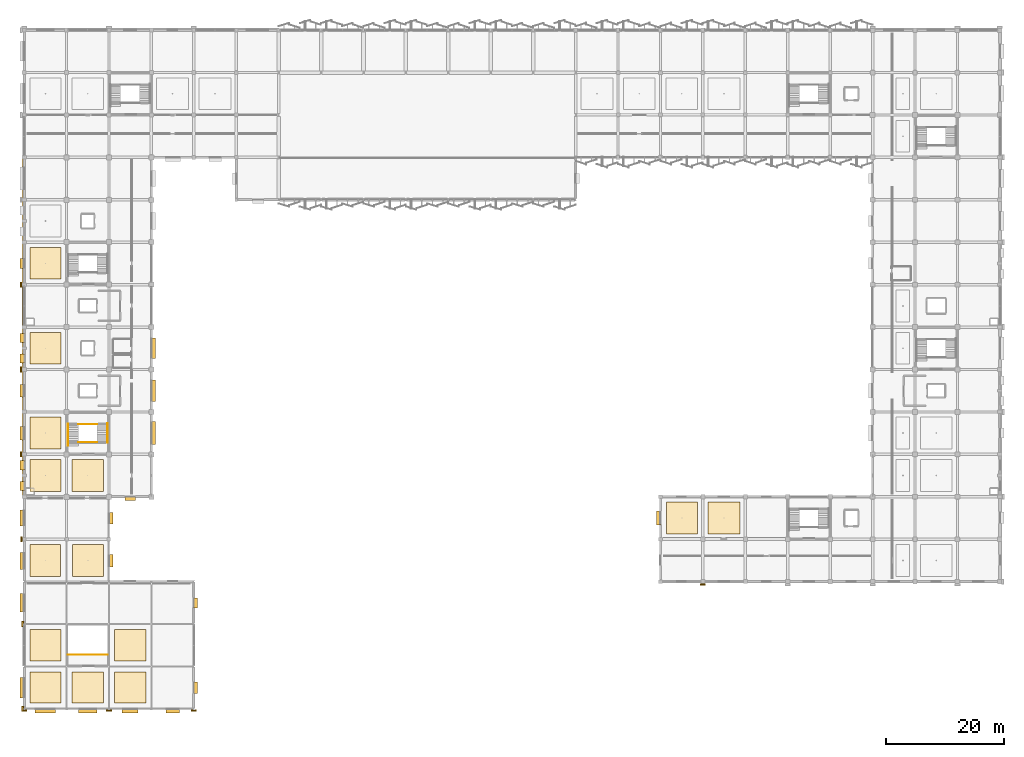
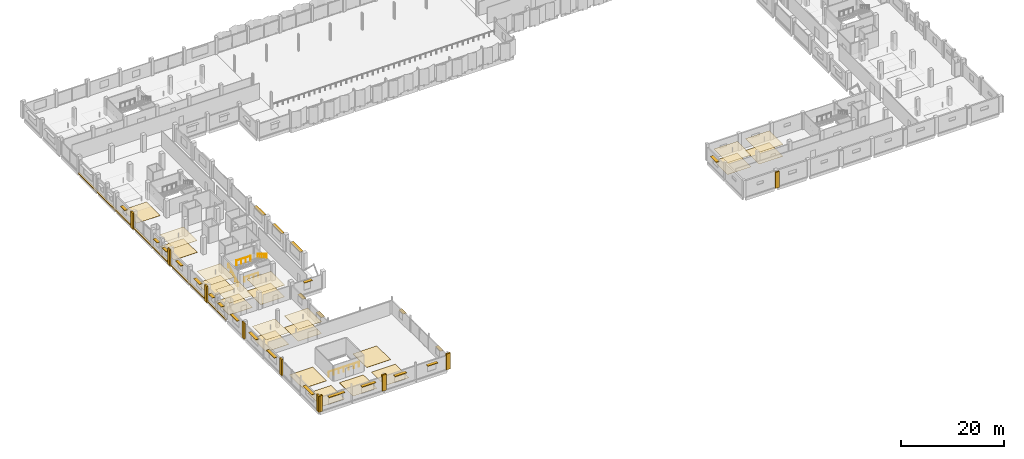
# One storey, part 104 of 107: 33 coverings, 24 shading devices, 5 railings.
"""IFC4 building model written with IfcOpenShell, lengths in metres."""

from ifc_helpers import new_model, si_unit, direction, frame, origin, origin_2d, place, context, subcontext, project, spatial, polyline, rectangle, circle, outline, extrude, material, layer, layer_set, type_object, element, save


model = new_model("IFC4")

# Units and contexts
model_context = context("Model", 3, precision=1e-05, world=origin(), true_north=direction((0.0, 1.0)))
body_context = subcontext(model_context, "Body", "Model", "MODEL_VIEW")
ifc_project = project(units=[si_unit("LENGTHUNIT", "METRE"), si_unit("AREAUNIT", "SQUARE_METRE"), si_unit("VOLUMEUNIT", "CUBIC_METRE"), si_unit("PLANEANGLEUNIT", "RADIAN"), si_unit("MASSUNIT", "GRAM", prefix="KILO")], contexts=[model_context])

# Site, building, storey
site_placement = place(None, origin())
site = spatial("IfcSite", under=ifc_project, at=site_placement, CompositionType="ELEMENT")
building_placement = place(site_placement, origin())
building = spatial("IfcBuilding", under=site, at=building_placement, Name="Kangsadwip Square Police Headquarters", CompositionType="ELEMENT")
storey_placement = place(building_placement, frame((0.0, 0.0, 5.39990234375)))
storey = spatial("IfcBuildingStorey", under=building, at=storey_placement, Name="L01", CompositionType="ELEMENT", Elevation=5.39990234375)

# Railings
ifc_material_1 = material(Name="Structural steel IS 2062 E250 (Grade 250, 250 MPa)", Category="steel")
railing_type_1 = type_object("IfcRailingType", Name="BalustradeGuard1100", PredefinedType="BALUSTRADE", material=ifc_material_1)
for number, where, name in (
    (1, (9.22998046875, 45.239990234375, 0.0), "Stair Guard ST-01 L01-8"),
    (2, (9.22998046875, 48.320068359375, 2.106201171875), "Stair Guard ST-01 L01-9"),
):
    element("IfcRailing", number, at=place(storey_placement, frame(where)), inside=storey, type_object=railing_type_1, Name=name, PredefinedType="BALUSTRADE", context=body_context, shape_type="SweptSolid", body=[
        extrude(circle(Radius=0.02392578125, at=origin_2d()), frame((0.0, 0.0, 1.09619140625), z_axis=(1.0, 0.0, 0.0), x_axis=(0.0, 1.0, 0.0)), (0.0, 0.0, 1.0), 3.14013671875),
        extrude(circle(Radius=0.02099609375, at=origin_2d()), origin(), (0.0, 0.0, 1.0), 1.072021484375),
        extrude(circle(Radius=0.02099609375, at=origin_2d()), frame((1.046630859375, 0.0, 0.0)), (0.0, 0.0, 1.0), 1.072021484375),
        extrude(circle(Radius=0.02099609375, at=origin_2d()), frame((2.093505859375, 0.0, 0.0)), (0.0, 0.0, 1.0), 1.072021484375),
        extrude(circle(Radius=0.02099609375, at=origin_2d()), frame((3.14013671875, 0.0, 0.0)), (0.0, 0.0, 1.0), 1.072021484375),
    ])
railing_1_placement = place(storey_placement, frame((7.39990234375, 9.199951171875, 0.0)))
element("IfcRailing", 3, at=railing_1_placement, inside=storey, type_object=railing_type_1, Name="Top Stairwell Guard ST-08 L01", PredefinedType="BALUSTRADE", context=body_context, shape_type="SweptSolid", body=[
    extrude(circle(Radius=0.02392578125, at=origin_2d()), frame((0.0, 0.0, 1.09619140625), z_axis=(1.0, 0.0, 0.0), x_axis=(0.0, 1.0, 0.0)), (0.0, 0.0, 1.0), 6.800048828125),
    extrude(circle(Radius=0.02099609375, at=origin_2d()), origin(), (0.0, 0.0, 1.0), 1.072021484375),
    extrude(circle(Radius=0.02099609375, at=origin_2d()), frame((1.13330078125, 0.0, 0.0)), (0.0, 0.0, 1.0), 1.072021484375),
    extrude(circle(Radius=0.02099609375, at=origin_2d()), frame((2.2666015625, 0.0, 0.0)), (0.0, 0.0, 1.0), 1.072021484375),
    extrude(circle(Radius=0.02099609375, at=origin_2d()), frame((3.39990234375, 0.0, 0.0)), (0.0, 0.0, 1.0), 1.072021484375),
    extrude(circle(Radius=0.02099609375, at=origin_2d()), frame((4.533447265625, 0.0, 0.0)), (0.0, 0.0, 1.0), 1.072021484375),
    extrude(circle(Radius=0.02099609375, at=origin_2d()), frame((5.666748046875, 0.0, 0.0)), (0.0, 0.0, 1.0), 1.072021484375),
    extrude(circle(Radius=0.02099609375, at=origin_2d()), frame((6.800048828125, 0.0, 0.0)), (0.0, 0.0, 1.0), 1.072021484375),
])

# Coverings
ifc_material_2 = material(Name="Seamless anti-static epoxy and polished Kota stone interior flooring", Category="masonry")
ifc_layer_1 = layer(ifc_material_2, 0.02001953125)
ifc_layer_set_1 = layer_set([ifc_layer_1], Name="Seamless anti-static epoxy and polished Kota stone interior flooring")
covering_type_1 = type_object("IfcCoveringType", Name="InteriorStoneEpoxyFloor", PredefinedType="FLOORING", material=ifc_layer_set_1)
covering_1_placement = place(storey_placement, origin())
element("IfcCovering", 4, at=covering_1_placement, inside=storey, type_object=covering_type_1, Name="Interior Floor Finish L01-058", PredefinedType="FLOORING", context=body_context, shape_type="SweptSolid", body=[
    extrude(outline(polyline([(1.0, 36.89990234375), (6.300048828125, 36.89990234375), (6.300048828125, 42.300048828125), (1.0, 42.300048828125), (1.0, 36.89990234375)])), origin(), (0.0, 0.0, 1.0), 0.02001953125),
])
covering_2_placement = place(storey_placement, origin())
element("IfcCovering", 5, at=covering_2_placement, inside=storey, type_object=covering_type_1, Name="Interior Floor Finish L01-059", PredefinedType="FLOORING", context=body_context, shape_type="SweptSolid", body=[
    extrude(outline(polyline([(8.10009765625, 36.89990234375), (13.5, 36.89990234375), (13.5, 42.300048828125), (8.10009765625, 42.300048828125), (8.10009765625, 36.89990234375)])), origin(), (0.0, 0.0, 1.0), 0.02001953125),
])
covering_3_placement = place(storey_placement, origin())
element("IfcCovering", 6, at=covering_3_placement, inside=storey, type_object=covering_type_1, Name="Interior Floor Finish L01-060", PredefinedType="FLOORING", context=body_context, shape_type="SweptSolid", body=[
    extrude(outline(polyline([(1.0, 44.10009765625), (6.300048828125, 44.10009765625), (6.300048828125, 49.5), (1.0, 49.5), (1.0, 44.10009765625)])), origin(), (0.0, 0.0, 1.0), 0.02001953125),
])
covering_4_placement = place(storey_placement, origin())
element("IfcCovering", 7, at=covering_4_placement, inside=storey, type_object=covering_type_1, Name="Interior Floor Finish L01-061", PredefinedType="FLOORING", context=body_context, shape_type="SweptSolid", body=[
    extrude(outline(polyline([(1.0, 58.5), (6.300048828125, 58.5), (6.300048828125, 63.89990234375), (1.0, 63.89990234375), (1.0, 58.5)])), origin(), (0.0, 0.0, 1.0), 0.02001953125),
])
covering_5_placement = place(storey_placement, origin())
element("IfcCovering", 8, at=covering_5_placement, inside=storey, type_object=covering_type_1, Name="Interior Floor Finish L01-062", PredefinedType="FLOORING", context=body_context, shape_type="SweptSolid", body=[
    extrude(outline(polyline([(1.0, 72.949951171875), (6.300048828125, 72.949951171875), (6.300048828125, 78.300048828125), (1.0, 78.300048828125), (1.0, 72.949951171875)])), origin(), (0.0, 0.0, 1.0), 0.02001953125),
])
covering_6_placement = place(storey_placement, origin())
element("IfcCovering", 9, at=covering_6_placement, inside=storey, type_object=covering_type_1, Name="Interior Floor Finish L01-070", PredefinedType="FLOORING", context=body_context, shape_type="SweptSolid", body=[
    extrude(outline(polyline([(1.0, 1.0), (6.300048828125, 1.0), (6.300048828125, 6.300048828125), (1.0, 6.300048828125), (1.0, 1.0)])), origin(), (0.0, 0.0, 1.0), 0.02001953125),
])
covering_7_placement = place(storey_placement, origin())
element("IfcCovering", 10, at=covering_7_placement, inside=storey, type_object=covering_type_1, Name="Interior Floor Finish L01-071", PredefinedType="FLOORING", context=body_context, shape_type="SweptSolid", body=[
    extrude(outline(polyline([(8.10009765625, 1.0), (13.5, 1.0), (13.5, 6.300048828125), (8.10009765625, 6.300048828125), (8.10009765625, 1.0)])), origin(), (0.0, 0.0, 1.0), 0.02001953125),
])
covering_8_placement = place(storey_placement, origin())
element("IfcCovering", 11, at=covering_8_placement, inside=storey, type_object=covering_type_1, Name="Interior Floor Finish L01-072", PredefinedType="FLOORING", context=body_context, shape_type="SweptSolid", body=[
    extrude(outline(polyline([(15.300048828125, 1.0), (20.699951171875, 1.0), (20.699951171875, 6.300048828125), (15.300048828125, 6.300048828125), (15.300048828125, 1.0)])), origin(), (0.0, 0.0, 1.0), 0.02001953125),
])
covering_9_placement = place(storey_placement, origin())
element("IfcCovering", 12, at=covering_9_placement, inside=storey, type_object=covering_type_1, Name="Interior Floor Finish L01-073", PredefinedType="FLOORING", context=body_context, shape_type="SweptSolid", body=[
    extrude(outline(polyline([(1.0, 8.10009765625), (6.300048828125, 8.10009765625), (6.300048828125, 13.5), (1.0, 13.5), (1.0, 8.10009765625)])), origin(), (0.0, 0.0, 1.0), 0.02001953125),
])
covering_10_placement = place(storey_placement, origin())
element("IfcCovering", 13, at=covering_10_placement, inside=storey, type_object=covering_type_1, Name="Interior Floor Finish L01-074", PredefinedType="FLOORING", context=body_context, shape_type="SweptSolid", body=[
    extrude(outline(polyline([(15.300048828125, 8.10009765625), (20.699951171875, 8.10009765625), (20.699951171875, 13.5), (15.300048828125, 13.5), (15.300048828125, 8.10009765625)])), origin(), (0.0, 0.0, 1.0), 0.02001953125),
])
covering_11_placement = place(storey_placement, origin())
element("IfcCovering", 14, at=covering_11_placement, inside=storey, type_object=covering_type_1, Name="Interior Floor Finish L01-075", PredefinedType="FLOORING", context=body_context, shape_type="SweptSolid", body=[
    extrude(outline(polyline([(1.0, 22.5), (6.14990234375, 22.5), (6.14990234375, 27.89990234375), (1.0, 27.89990234375), (1.0, 22.5)])), origin(), (0.0, 0.0, 1.0), 0.02001953125),
])
covering_12_placement = place(storey_placement, origin())
element("IfcCovering", 15, at=covering_12_placement, inside=storey, type_object=covering_type_1, Name="Interior Floor Finish L01-076", PredefinedType="FLOORING", context=body_context, shape_type="SweptSolid", body=[
    extrude(outline(polyline([(8.199951171875, 22.5), (13.5, 22.5), (13.5, 27.89990234375), (8.199951171875, 27.89990234375), (8.199951171875, 22.5)])), origin(), (0.0, 0.0, 1.0), 0.02001953125),
])
covering_13_placement = place(storey_placement, origin())
element("IfcCovering", 16, at=covering_13_placement, inside=storey, type_object=covering_type_1, Name="Interior Floor Finish L01-077", PredefinedType="FLOORING", context=body_context, shape_type="SweptSolid", body=[
    extrude(outline(polyline([(109.0, 29.699951171875), (114.300048828125, 29.699951171875), (114.300048828125, 35.10009765625), (109.0, 35.10009765625), (109.0, 29.699951171875)])), origin(), (0.0, 0.0, 1.0), 0.02001953125),
])
covering_14_placement = place(storey_placement, origin())
element("IfcCovering", 17, at=covering_14_placement, inside=storey, type_object=covering_type_1, Name="Interior Floor Finish L01-078", PredefinedType="FLOORING", context=body_context, shape_type="SweptSolid", body=[
    extrude(outline(polyline([(116.10009765625, 29.699951171875), (121.5, 29.699951171875), (121.5, 35.10009765625), (116.10009765625, 35.10009765625), (116.10009765625, 29.699951171875)])), origin(), (0.0, 0.0, 1.0), 0.02001953125),
])

# Railings
ifc_material_3 = material(Name="Structural steel IS 2062 E250 (Grade 250, 250 MPa)", Category="steel")
railing_type_2 = type_object("IfcRailingType", Name="StairPitchHandrail900", PredefinedType="HANDRAIL", material=ifc_material_3)
railing_2_placement = place(storey_placement, frame((7.43994140625, 44.639892578125, 0.0)))
element("IfcRailing", 18, at=railing_2_placement, inside=storey, type_object=railing_type_2, Name="Stair Handrail ST-01 L01-10", PredefinedType="HANDRAIL", context=body_context, shape_type="SweptSolid", body=[
    extrude(circle(Radius=0.02392578125, at=origin_2d()), frame((0.0, 0.0, 0.8759765625), z_axis=(0.0, 0.870214817555, 0.49267247874), x_axis=(-1.0, 0.0, 0.0)), (0.0, 0.0, 1.0), 4.275146484375),
    extrude(circle(Radius=0.02099609375, at=origin_2d()), origin(), (0.0, 0.0, 1.0), 0.851806640625),
    extrude(circle(Radius=0.02099609375, at=origin_2d()), frame((0.0, 0.93017578125, 0.526611328125)), (0.0, 0.0, 1.0), 0.851806640625),
    extrude(circle(Radius=0.02099609375, at=origin_2d()), frame((0.0, 1.860107421875, 1.05322265625)), (0.0, 0.0, 1.0), 0.851806640625),
    extrude(circle(Radius=0.02099609375, at=origin_2d()), frame((0.0, 2.7900390625, 1.57958984375)), (0.0, 0.0, 1.0), 0.851806640625),
    extrude(circle(Radius=0.02099609375, at=origin_2d()), frame((0.0, 3.72021484375, 2.106201171875)), (0.0, 0.0, 1.0), 0.851806640625),
])
railing_3_placement = place(storey_placement, frame((14.159912109375, 48.4599609375, 2.106201171875)))
element("IfcRailing", 19, at=railing_3_placement, inside=storey, type_object=railing_type_2, Name="Stair Handrail ST-01 L01-11", PredefinedType="HANDRAIL", context=body_context, shape_type="SweptSolid", body=[
    extrude(circle(Radius=0.02392578125, at=origin_2d()), frame((0.0, 0.0, 0.8759765625), z_axis=(0.0, -0.860276971572, 0.509826962981), x_axis=(1.0, 0.0, 0.0)), (0.0, 0.0, 1.0), 3.812744140625),
    extrude(circle(Radius=0.02099609375, at=origin_2d()), origin(), (0.0, 0.0, 1.0), 0.851806640625),
    extrude(circle(Radius=0.02099609375, at=origin_2d()), frame((0.0, -0.820068359375, 0.48583984375)), (0.0, 0.0, 1.0), 0.851806640625),
    extrude(circle(Radius=0.02099609375, at=origin_2d()), frame((0.0, -1.64013671875, 0.971923828125)), (0.0, 0.0, 1.0), 0.851806640625),
    extrude(circle(Radius=0.02099609375, at=origin_2d()), frame((0.0, -2.4599609375, 1.4580078125)), (0.0, 0.0, 1.0), 0.851806640625),
    extrude(circle(Radius=0.02099609375, at=origin_2d()), frame((0.0, -3.280029296875, 1.94384765625)), (0.0, 0.0, 1.0), 0.851806640625),
])

# Coverings
ifc_material_4 = material(Name="Perforated mineral-fibre and acoustic baffle suspended ceiling", Category="wood")
ifc_layer_2 = layer(ifc_material_4, 0.02490234375)
ifc_layer_set_2 = layer_set([ifc_layer_2], Name="Perforated mineral-fibre and acoustic baffle suspended ceiling")
covering_type_2 = type_object("IfcCoveringType", Name="SuspendedAcousticCeiling", PredefinedType="CEILING", material=ifc_layer_set_2)
covering_15_placement = place(storey_placement, frame((0.0, 0.0, 2.800048828125)))
element("IfcCovering", 20, at=covering_15_placement, inside=storey, type_object=covering_type_2, Name="Suspended Acoustic Ceiling L01-058", PredefinedType="CEILING", context=body_context, shape_type="SweptSolid", body=[
    extrude(outline(polyline([(1.0, 36.89990234375), (6.300048828125, 36.89990234375), (6.300048828125, 42.300048828125), (1.0, 42.300048828125), (1.0, 36.89990234375)])), origin(), (0.0, 0.0, 1.0), 0.025146484375),
])
covering_16_placement = place(storey_placement, frame((0.0, 0.0, 2.800048828125)))
element("IfcCovering", 21, at=covering_16_placement, inside=storey, type_object=covering_type_2, Name="Suspended Acoustic Ceiling L01-059", PredefinedType="CEILING", context=body_context, shape_type="SweptSolid", body=[
    extrude(outline(polyline([(8.10009765625, 36.89990234375), (13.5, 36.89990234375), (13.5, 42.300048828125), (8.10009765625, 42.300048828125), (8.10009765625, 36.89990234375)])), origin(), (0.0, 0.0, 1.0), 0.025146484375),
])
covering_17_placement = place(storey_placement, frame((0.0, 0.0, 2.800048828125)))
element("IfcCovering", 22, at=covering_17_placement, inside=storey, type_object=covering_type_2, Name="Suspended Acoustic Ceiling L01-060", PredefinedType="CEILING", context=body_context, shape_type="SweptSolid", body=[
    extrude(outline(polyline([(1.0, 44.10009765625), (6.300048828125, 44.10009765625), (6.300048828125, 49.5), (1.0, 49.5), (1.0, 44.10009765625)])), origin(), (0.0, 0.0, 1.0), 0.025146484375),
])
covering_18_placement = place(storey_placement, frame((0.0, 0.0, 2.800048828125)))
element("IfcCovering", 23, at=covering_18_placement, inside=storey, type_object=covering_type_2, Name="Suspended Acoustic Ceiling L01-061", PredefinedType="CEILING", context=body_context, shape_type="SweptSolid", body=[
    extrude(outline(polyline([(1.0, 58.5), (6.300048828125, 58.5), (6.300048828125, 63.89990234375), (1.0, 63.89990234375), (1.0, 58.5)])), origin(), (0.0, 0.0, 1.0), 0.025146484375),
])
covering_19_placement = place(storey_placement, frame((0.0, 0.0, 2.800048828125)))
element("IfcCovering", 24, at=covering_19_placement, inside=storey, type_object=covering_type_2, Name="Suspended Acoustic Ceiling L01-075", PredefinedType="CEILING", context=body_context, shape_type="SweptSolid", body=[
    extrude(outline(polyline([(1.0, 22.5), (6.14990234375, 22.5), (6.14990234375, 27.89990234375), (1.0, 27.89990234375), (1.0, 22.5)])), origin(), (0.0, 0.0, 1.0), 0.025146484375),
])
covering_20_placement = place(storey_placement, frame((0.0, 0.0, 2.800048828125)))
element("IfcCovering", 25, at=covering_20_placement, inside=storey, type_object=covering_type_2, Name="Suspended Acoustic Ceiling L01-076", PredefinedType="CEILING", context=body_context, shape_type="SweptSolid", body=[
    extrude(outline(polyline([(8.199951171875, 22.5), (13.5, 22.5), (13.5, 27.89990234375), (8.199951171875, 27.89990234375), (8.199951171875, 22.5)])), origin(), (0.0, 0.0, 1.0), 0.025146484375),
])
covering_21_placement = place(storey_placement, frame((0.0, 0.0, 2.800048828125)))
element("IfcCovering", 26, at=covering_21_placement, inside=storey, type_object=covering_type_2, Name="Suspended Acoustic Ceiling L01-077", PredefinedType="CEILING", context=body_context, shape_type="SweptSolid", body=[
    extrude(outline(polyline([(109.0, 29.699951171875), (114.300048828125, 29.699951171875), (114.300048828125, 35.10009765625), (109.0, 35.10009765625), (109.0, 29.699951171875)])), origin(), (0.0, 0.0, 1.0), 0.025146484375),
])
covering_22_placement = place(storey_placement, frame((0.0, 0.0, 2.800048828125)))
element("IfcCovering", 27, at=covering_22_placement, inside=storey, type_object=covering_type_2, Name="Suspended Acoustic Ceiling L01-078", PredefinedType="CEILING", context=body_context, shape_type="SweptSolid", body=[
    extrude(outline(polyline([(116.10009765625, 29.699951171875), (121.5, 29.699951171875), (121.5, 35.10009765625), (116.10009765625, 35.10009765625), (116.10009765625, 29.699951171875)])), origin(), (0.0, 0.0, 1.0), 0.025146484375),
])
ifc_material_5 = material(Name="Glazed architectural terracotta masonry rainscreen", Category="masonry")
ifc_layer_3 = layer(ifc_material_5, 0.034912109375)
ifc_layer_set_3 = layer_set([ifc_layer_3], Name="Glazed architectural terracotta masonry rainscreen")
covering_type_3 = type_object("IfcCoveringType", Name="TerracottaPierCladding", PredefinedType="CLADDING", material=ifc_layer_set_3)
covering_23_placement = place(storey_placement, origin())
element("IfcCovering", 28, at=covering_23_placement, inside=storey, type_object=covering_type_3, Name="Terracotta Pier Cladding L01-030", PredefinedType="CLADDING", context=body_context, shape_type="SweptSolid", body=[
    extrude(outline(polyline([(-0.425048828125, -0.43994140625), (-0.10498046875, -0.43994140625), (-0.10498046875, 0.43994140625), (-0.425048828125, 0.43994140625), (-0.425048828125, -0.43994140625)])), origin(), (0.0, 0.0, 1.0), 3.800048828125),
])
covering_24_placement = place(storey_placement, origin())
element("IfcCovering", 29, at=covering_24_placement, inside=storey, type_object=covering_type_3, Name="Terracotta Pier Cladding L01-031", PredefinedType="CLADDING", context=body_context, shape_type="SweptSolid", body=[
    extrude(outline(polyline([(-0.425048828125, 13.9599609375), (-0.10498046875, 13.9599609375), (-0.10498046875, 14.840087890625), (-0.425048828125, 14.840087890625), (-0.425048828125, 13.9599609375)])), origin(), (0.0, 0.0, 1.0), 3.800048828125),
])
covering_25_placement = place(storey_placement, origin())
element("IfcCovering", 30, at=covering_25_placement, inside=storey, type_object=covering_type_3, Name="Terracotta Pier Cladding L01-032", PredefinedType="CLADDING", context=body_context, shape_type="SweptSolid", body=[
    extrude(outline(polyline([(-0.60009765625, 28.360107421875), (-0.280029296875, 28.360107421875), (-0.280029296875, 29.239990234375), (-0.60009765625, 29.239990234375), (-0.60009765625, 28.360107421875)])), origin(), (0.0, 0.0, 1.0), 3.800048828125),
])
covering_26_placement = place(storey_placement, origin())
element("IfcCovering", 31, at=covering_26_placement, inside=storey, type_object=covering_type_3, Name="Terracotta Pier Cladding L01-033", PredefinedType="CLADDING", context=body_context, shape_type="SweptSolid", body=[
    extrude(outline(polyline([(-0.699951171875, 42.760009765625), (-0.3798828125, 42.760009765625), (-0.3798828125, 43.639892578125), (-0.699951171875, 43.639892578125), (-0.699951171875, 42.760009765625)])), origin(), (0.0, 0.0, 1.0), 3.800048828125),
])
covering_27_placement = place(storey_placement, origin())
element("IfcCovering", 32, at=covering_27_placement, inside=storey, type_object=covering_type_3, Name="Terracotta Pier Cladding L01-034", PredefinedType="CLADDING", context=body_context, shape_type="SweptSolid", body=[
    extrude(outline(polyline([(-0.699951171875, 57.159912109375), (-0.3798828125, 57.159912109375), (-0.3798828125, 58.0400390625), (-0.699951171875, 58.0400390625), (-0.699951171875, 57.159912109375)])), origin(), (0.0, 0.0, 1.0), 3.800048828125),
])
covering_28_placement = place(storey_placement, origin())
element("IfcCovering", 33, at=covering_28_placement, inside=storey, type_object=covering_type_3, Name="Terracotta Pier Cladding L01-035", PredefinedType="CLADDING", context=body_context, shape_type="SweptSolid", body=[
    extrude(outline(polyline([(-0.699951171875, 71.56005859375), (-0.3798828125, 71.56005859375), (-0.3798828125, 72.43994140625), (-0.699951171875, 72.43994140625), (-0.699951171875, 71.56005859375)])), origin(), (0.0, 0.0, 1.0), 3.800048828125),
])
covering_29_placement = place(storey_placement, origin())
element("IfcCovering", 34, at=covering_29_placement, inside=storey, type_object=covering_type_3, Name="Terracotta Pier Cladding L01-052", PredefinedType="CLADDING", context=body_context, shape_type="SweptSolid", body=[
    extrude(outline(polyline([(114.760009765625, 20.949951171875), (115.639892578125, 20.949951171875), (115.639892578125, 21.27001953125), (114.760009765625, 21.27001953125), (114.760009765625, 20.949951171875)])), origin(), (0.0, 0.0, 1.0), 3.800048828125),
])
covering_30_placement = place(storey_placement, origin())
element("IfcCovering", 35, at=covering_30_placement, inside=storey, type_object=covering_type_3, Name="Terracotta Pier Cladding L01-056", PredefinedType="CLADDING", context=body_context, shape_type="SweptSolid", body=[
    extrude(outline(polyline([(-0.43994140625, -0.425048828125), (0.43994140625, -0.425048828125), (0.43994140625, -0.10498046875), (-0.43994140625, -0.10498046875), (-0.43994140625, -0.425048828125)])), origin(), (0.0, 0.0, 1.0), 3.800048828125),
])
covering_31_placement = place(storey_placement, origin())
element("IfcCovering", 36, at=covering_31_placement, inside=storey, type_object=covering_type_3, Name="Terracotta Pier Cladding L01-057", PredefinedType="CLADDING", context=body_context, shape_type="SweptSolid", body=[
    extrude(outline(polyline([(13.9599609375, -0.425048828125), (14.840087890625, -0.425048828125), (14.840087890625, -0.10498046875), (13.9599609375, -0.10498046875), (13.9599609375, -0.425048828125)])), origin(), (0.0, 0.0, 1.0), 3.800048828125),
])
covering_32_placement = place(storey_placement, origin())
element("IfcCovering", 37, at=covering_32_placement, inside=storey, type_object=covering_type_3, Name="Terracotta Pier Cladding L01-058", PredefinedType="CLADDING", context=body_context, shape_type="SweptSolid", body=[
    extrude(outline(polyline([(28.360107421875, -0.425048828125), (29.239990234375, -0.425048828125), (29.239990234375, -0.10498046875), (28.360107421875, -0.10498046875), (28.360107421875, -0.425048828125)])), origin(), (0.0, 0.0, 1.0), 3.800048828125),
])
covering_33_placement = place(storey_placement, frame((0.0, 0.0, -0.239990234375)))
element("IfcCovering", 38, at=covering_33_placement, inside=storey, type_object=covering_type_3, Name="Terracotta Cornice Belt L01-154", PredefinedType="CLADDING", context=body_context, shape_type="SweptSolid", body=[
    extrude(outline(polyline([(-0.320068359375, 36.0), (0.02001953125, 36.0), (0.02001953125, 93.60009765625), (-0.320068359375, 93.60009765625), (-0.320068359375, 36.0)])), origin(), (0.0, 0.0, 1.0), 0.260009765625),
])

# Shading devices
ifc_material_6 = material(Name="Architectural terracotta and anodised aluminium AW-6061-T6", Category="aluminium")
shading_device_type = type_object("IfcShadingDeviceType", Name="TerracottaChhajjaAwning", PredefinedType="AWNING", material=ifc_material_6)
shading_device_1_placement = place(storey_placement, frame((3.60009765625, -0.300048828125, 2.81494140625), z_axis=(0.0, 0.0, 1.0), x_axis=(1.0, 0.0, 0.0)))
element("IfcShadingDevice", 39, at=shading_device_1_placement, inside=storey, type_object=shading_device_type, Name="Terracotta Chhajja Hood CHJ-L01-0049", PredefinedType="AWNING", context=body_context, shape_type="SweptSolid", body=[
    extrude(rectangle(XDim=3.5, YDim=0.719970703125, at=origin_2d()), origin(), (0.0, 0.0, 1.0), 0.090087890625),
])
shading_device_2_placement = place(storey_placement, frame((10.800048828125, -0.300048828125, 2.71484375), z_axis=(0.0, 0.0, 1.0), x_axis=(1.0, 0.0, 0.0)))
element("IfcShadingDevice", 40, at=shading_device_2_placement, inside=storey, type_object=shading_device_type, Name="Terracotta Chhajja Hood CHJ-L01-0050", PredefinedType="AWNING", context=body_context, shape_type="SweptSolid", body=[
    extrude(rectangle(XDim=3.10009765625, YDim=0.719970703125, at=origin_2d()), origin(), (0.0, 0.0, 1.0), 0.090087890625),
])
shading_device_3_placement = place(storey_placement, frame((18.0, -0.300048828125, 2.615234375), z_axis=(0.0, 0.0, 1.0), x_axis=(1.0, 0.0, 0.0)))
element("IfcShadingDevice", 41, at=shading_device_3_placement, inside=storey, type_object=shading_device_type, Name="Terracotta Chhajja Hood CHJ-L01-0051", PredefinedType="AWNING", context=body_context, shape_type="SweptSolid", body=[
    extrude(rectangle(XDim=2.699951171875, YDim=0.719970703125, at=origin_2d()), origin(), (0.0, 0.0, 1.0), 0.090087890625),
])
shading_device_4_placement = place(storey_placement, frame((25.199951171875, -0.300048828125, 2.51513671875), z_axis=(0.0, 0.0, 1.0), x_axis=(1.0, 0.0, 0.0)))
element("IfcShadingDevice", 42, at=shading_device_4_placement, inside=storey, type_object=shading_device_type, Name="Terracotta Chhajja Hood CHJ-L01-0052", PredefinedType="AWNING", context=body_context, shape_type="SweptSolid", body=[
    extrude(rectangle(XDim=2.300048828125, YDim=0.719970703125, at=origin_2d()), origin(), (0.0, 0.0, 1.0), 0.090087890625),
])
shading_device_5_placement = place(storey_placement, frame((18.0, 35.699951171875, 2.9150390625), z_axis=(0.0, 0.0, 1.0), x_axis=(1.0, 0.0, 0.0)))
element("IfcShadingDevice", 43, at=shading_device_5_placement, inside=storey, type_object=shading_device_type, Name="Terracotta Chhajja Hood CHJ-L01-0053", PredefinedType="AWNING", context=body_context, shape_type="SweptSolid", body=[
    extrude(rectangle(XDim=1.800048828125, YDim=0.719970703125, at=origin_2d()), origin(), (0.0, 0.0, 1.0), 0.090087890625),
])
shading_device_6_placement = place(storey_placement, frame((-0.300048828125, 3.60009765625, 2.81494140625), z_axis=(0.0, 0.0, 1.0), x_axis=(0.0, 1.0, 0.0)))
element("IfcShadingDevice", 44, at=shading_device_6_placement, inside=storey, type_object=shading_device_type, Name="Terracotta Chhajja Hood CHJ-L01-0057", PredefinedType="AWNING", context=body_context, shape_type="SweptSolid", body=[
    extrude(rectangle(XDim=3.5, YDim=0.719970703125, at=origin_2d()), origin(), (0.0, 0.0, 1.0), 0.090087890625),
])
shading_device_7_placement = place(storey_placement, frame((-0.300048828125, 18.0, 2.71484375), z_axis=(0.0, 0.0, 1.0), x_axis=(0.0, 1.0, 0.0)))
element("IfcShadingDevice", 45, at=shading_device_7_placement, inside=storey, type_object=shading_device_type, Name="Terracotta Chhajja Hood CHJ-L01-0058", PredefinedType="AWNING", context=body_context, shape_type="SweptSolid", body=[
    extrude(rectangle(XDim=3.10009765625, YDim=0.719970703125, at=origin_2d()), origin(), (0.0, 0.0, 1.0), 0.090087890625),
])
shading_device_8_placement = place(storey_placement, frame((-0.300048828125, 25.116455078125, 2.6650390625), z_axis=(0.0, 0.0, 1.0), x_axis=(0.0, 1.0, 0.0)))
element("IfcShadingDevice", 46, at=shading_device_8_placement, inside=storey, type_object=shading_device_type, Name="Terracotta Chhajja Hood CHJ-L01-0059", PredefinedType="AWNING", context=body_context, shape_type="SweptSolid", body=[
    extrude(rectangle(XDim=2.89990234375, YDim=0.719970703125, at=origin_2d()), origin(), (0.0, 0.0, 1.0), 0.090087890625),
])
shading_device_9_placement = place(storey_placement, frame((-0.300048828125, 32.39990234375, 2.615234375), z_axis=(0.0, 0.0, 1.0), x_axis=(0.0, 1.0, 0.0)))
element("IfcShadingDevice", 47, at=shading_device_9_placement, inside=storey, type_object=shading_device_type, Name="Terracotta Chhajja Hood CHJ-L01-0060", PredefinedType="AWNING", context=body_context, shape_type="SweptSolid", body=[
    extrude(rectangle(XDim=2.699951171875, YDim=0.719970703125, at=origin_2d()), origin(), (0.0, 0.0, 1.0), 0.090087890625),
])
for number, where, z_axis, x_axis, name in (
    (48, (-0.300048828125, 37.83740234375, 2.365234375), (0.0, 0.0, 1.0), (0.0, 1.0, 0.0), "Terracotta Chhajja Hood CHJ-L01-0061"),
    (49, (-0.300048828125, 41.362548828125, 2.365234375), (0.0, 0.0, 1.0), (0.0, 1.0, 0.0), "Terracotta Chhajja Hood CHJ-L01-0062"),
):
    element("IfcShadingDevice", number, at=place(storey_placement, frame(where, z_axis=z_axis, x_axis=x_axis)), inside=storey, type_object=shading_device_type, Name=name, PredefinedType="AWNING", context=body_context, shape_type="SweptSolid", body=[
        extrude(rectangle(XDim=1.550048828125, YDim=0.719970703125, at=origin_2d()), origin(), (0.0, 0.0, 1.0), 0.090087890625),
    ])
shading_device_10_placement = place(storey_placement, frame((-0.300048828125, 46.800048828125, 2.51513671875), z_axis=(0.0, 0.0, 1.0), x_axis=(0.0, 1.0, 0.0)))
element("IfcShadingDevice", 50, at=shading_device_10_placement, inside=storey, type_object=shading_device_type, Name="Terracotta Chhajja Hood CHJ-L01-0063", PredefinedType="AWNING", context=body_context, shape_type="SweptSolid", body=[
    extrude(rectangle(XDim=2.300048828125, YDim=0.719970703125, at=origin_2d()), origin(), (0.0, 0.0, 1.0), 0.090087890625),
])
shading_device_11_placement = place(storey_placement, frame((-0.300048828125, 54.0, 2.46484375), z_axis=(0.0, 0.0, 1.0), x_axis=(0.0, 1.0, 0.0)))
element("IfcShadingDevice", 51, at=shading_device_11_placement, inside=storey, type_object=shading_device_type, Name="Terracotta Chhajja Hood CHJ-L01-0064", PredefinedType="AWNING", context=body_context, shape_type="SweptSolid", body=[
    extrude(rectangle(XDim=2.10009765625, YDim=0.719970703125, at=origin_2d()), origin(), (0.0, 0.0, 1.0), 0.090087890625),
])
for number, where, z_axis, x_axis, name in (
    (52, (-0.300048828125, 59.4375, 2.365234375), (0.0, 0.0, 1.0), (0.0, 1.0, 0.0), "Terracotta Chhajja Hood CHJ-L01-0065"),
    (53, (-0.300048828125, 62.96240234375, 2.365234375), (0.0, 0.0, 1.0), (0.0, 1.0, 0.0), "Terracotta Chhajja Hood CHJ-L01-0066"),
):
    element("IfcShadingDevice", number, at=place(storey_placement, frame(where, z_axis=z_axis, x_axis=x_axis)), inside=storey, type_object=shading_device_type, Name=name, PredefinedType="AWNING", context=body_context, shape_type="SweptSolid", body=[
        extrude(rectangle(XDim=1.550048828125, YDim=0.719970703125, at=origin_2d()), origin(), (0.0, 0.0, 1.0), 0.090087890625),
    ])
shading_device_12_placement = place(storey_placement, frame((-0.300048828125, 75.60009765625, 2.46484375), z_axis=(0.0, 0.0, 1.0), x_axis=(0.0, 1.0, 0.0)))
element("IfcShadingDevice", 54, at=shading_device_12_placement, inside=storey, type_object=shading_device_type, Name="Terracotta Chhajja Hood CHJ-L01-0067", PredefinedType="AWNING", context=body_context, shape_type="SweptSolid", body=[
    extrude(rectangle(XDim=1.699951171875, YDim=0.719970703125, at=origin_2d()), origin(), (0.0, 0.0, 1.0), 0.090087890625),
])
shading_device_13_placement = place(storey_placement, frame((14.699951171875, 25.116455078125, 2.46484375), z_axis=(0.0, 0.0, 1.0), x_axis=(0.0, 1.0, 0.0)))
element("IfcShadingDevice", 55, at=shading_device_13_placement, inside=storey, type_object=shading_device_type, Name="Terracotta Chhajja Hood CHJ-L01-0073", PredefinedType="AWNING", context=body_context, shape_type="SweptSolid", body=[
    extrude(rectangle(XDim=2.10009765625, YDim=0.719970703125, at=origin_2d()), origin(), (0.0, 0.0, 1.0), 0.090087890625),
])
shading_device_14_placement = place(storey_placement, frame((14.699951171875, 32.33740234375, 2.4150390625), z_axis=(0.0, 0.0, 1.0), x_axis=(0.0, 1.0, 0.0)))
element("IfcShadingDevice", 56, at=shading_device_14_placement, inside=storey, type_object=shading_device_type, Name="Terracotta Chhajja Hood CHJ-L01-0074", PredefinedType="AWNING", context=body_context, shape_type="SweptSolid", body=[
    extrude(rectangle(XDim=1.949951171875, YDim=0.719970703125, at=origin_2d()), origin(), (0.0, 0.0, 1.0), 0.090087890625),
])
shading_device_15_placement = place(storey_placement, frame((21.89990234375, 46.800048828125, 2.9150390625), z_axis=(0.0, 0.0, 1.0), x_axis=(0.0, 1.0, 0.0)))
element("IfcShadingDevice", 57, at=shading_device_15_placement, inside=storey, type_object=shading_device_type, Name="Terracotta Chhajja Hood CHJ-L01-0075", PredefinedType="AWNING", context=body_context, shape_type="SweptSolid", body=[
    extrude(rectangle(XDim=3.89990234375, YDim=0.719970703125, at=origin_2d()), origin(), (0.0, 0.0, 1.0), 0.090087890625),
])
shading_device_16_placement = place(storey_placement, frame((21.89990234375, 54.0, 2.865234375), z_axis=(0.0, 0.0, 1.0), x_axis=(0.0, 1.0, 0.0)))
element("IfcShadingDevice", 58, at=shading_device_16_placement, inside=storey, type_object=shading_device_type, Name="Terracotta Chhajja Hood CHJ-L01-0076", PredefinedType="AWNING", context=body_context, shape_type="SweptSolid", body=[
    extrude(rectangle(XDim=3.699951171875, YDim=0.719970703125, at=origin_2d()), origin(), (0.0, 0.0, 1.0), 0.090087890625),
])
shading_device_17_placement = place(storey_placement, frame((21.89990234375, 61.199951171875, 2.81494140625), z_axis=(0.0, 0.0, 1.0), x_axis=(0.0, 1.0, 0.0)))
element("IfcShadingDevice", 59, at=shading_device_17_placement, inside=storey, type_object=shading_device_type, Name="Terracotta Chhajja Hood CHJ-L01-0077", PredefinedType="AWNING", context=body_context, shape_type="SweptSolid", body=[
    extrude(rectangle(XDim=3.5, YDim=0.719970703125, at=origin_2d()), origin(), (0.0, 0.0, 1.0), 0.090087890625),
])
shading_device_18_placement = place(storey_placement, frame((29.10009765625, 3.60009765625, 2.4150390625), z_axis=(0.0, 0.0, 1.0), x_axis=(0.0, 1.0, 0.0)))
element("IfcShadingDevice", 60, at=shading_device_18_placement, inside=storey, type_object=shading_device_type, Name="Terracotta Chhajja Hood CHJ-L01-0080", PredefinedType="AWNING", context=body_context, shape_type="SweptSolid", body=[
    extrude(rectangle(XDim=1.949951171875, YDim=0.719970703125, at=origin_2d()), origin(), (0.0, 0.0, 1.0), 0.090087890625),
])
shading_device_19_placement = place(storey_placement, frame((29.10009765625, 18.0, 2.46484375), z_axis=(0.0, 0.0, 1.0), x_axis=(0.0, 1.0, 0.0)))
element("IfcShadingDevice", 61, at=shading_device_19_placement, inside=storey, type_object=shading_device_type, Name="Terracotta Chhajja Hood CHJ-L01-0081", PredefinedType="AWNING", context=body_context, shape_type="SweptSolid", body=[
    extrude(rectangle(XDim=1.699951171875, YDim=0.719970703125, at=origin_2d()), origin(), (0.0, 0.0, 1.0), 0.090087890625),
])
shading_device_20_placement = place(storey_placement, frame((107.699951171875, 32.39990234375, 2.51513671875), z_axis=(0.0, 0.0, 1.0), x_axis=(0.0, 1.0, 0.0)))
element("IfcShadingDevice", 62, at=shading_device_20_placement, inside=storey, type_object=shading_device_type, Name="Terracotta Chhajja Hood CHJ-L01-0084", PredefinedType="AWNING", context=body_context, shape_type="SweptSolid", body=[
    extrude(rectangle(XDim=2.300048828125, YDim=0.719970703125, at=origin_2d()), origin(), (0.0, 0.0, 1.0), 0.090087890625),
])

save(model, "model.ifc")
